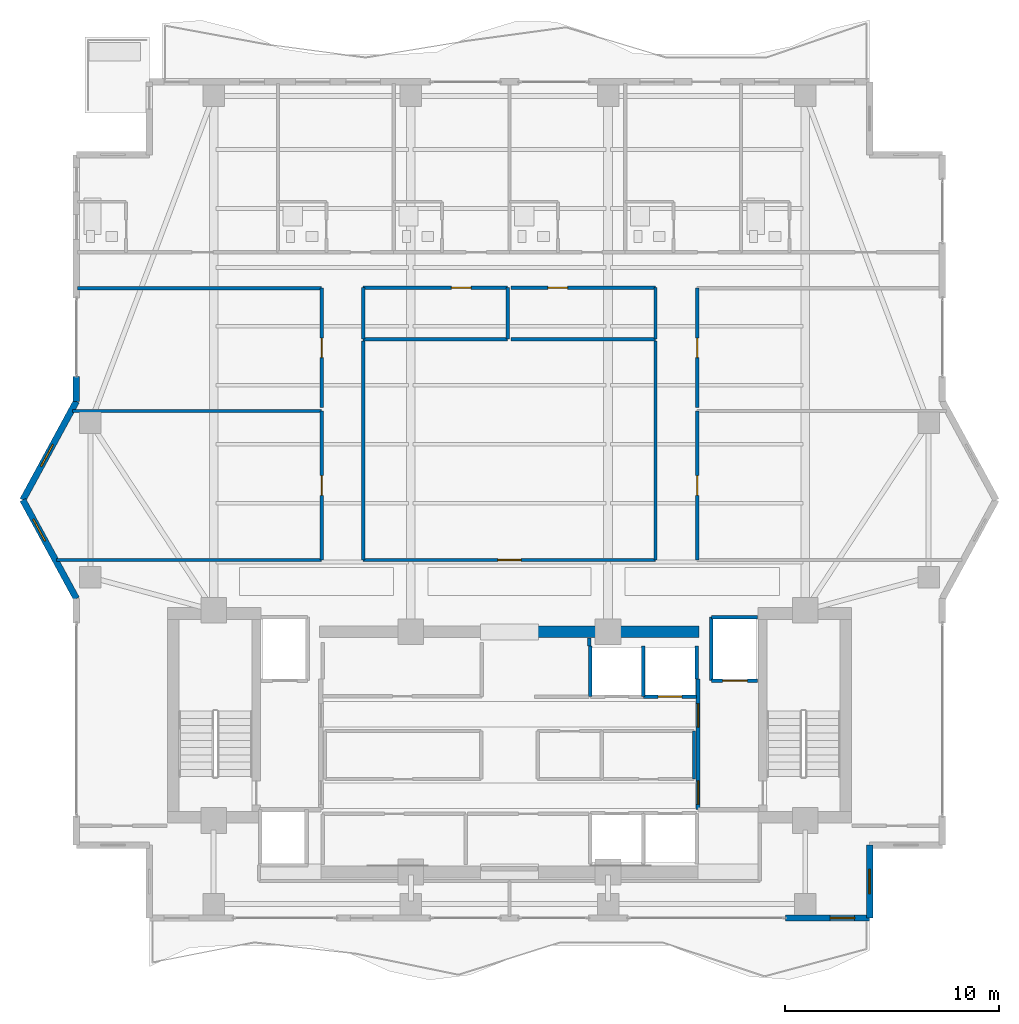
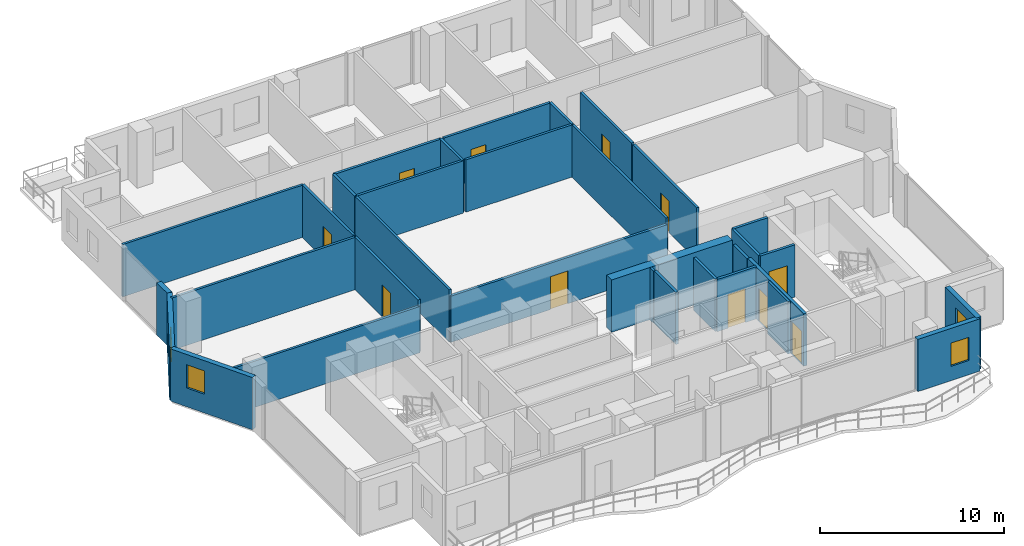
# One storey, part 18 of 24: 33 walls, 11 doors, 4 windows, 15 openings.
"""IFC4 building model written with IfcOpenShell, lengths in metres."""

from ifc_helpers import new_model, si_unit, direction, frame, frame_2d, origin, place, context, subcontext, project, spatial, rectangle, extrude, material, layer, layer_set, type_object, element, fill, save


model = new_model("IFC4")

# Units and contexts
model_context = context("Model", 3, precision=1e-05, world=origin(), true_north=direction((0.0, 1.0)))
body_context = subcontext(model_context, "Body", "Model", "MODEL_VIEW")
ifc_project = project(units=[si_unit("LENGTHUNIT", "METRE"), si_unit("AREAUNIT", "SQUARE_METRE"), si_unit("VOLUMEUNIT", "CUBIC_METRE"), si_unit("PLANEANGLEUNIT", "RADIAN"), si_unit("MASSUNIT", "GRAM", prefix="KILO")], contexts=[model_context])

# Site, building, storey
site_placement = place(None, origin())
site = spatial("IfcSite", under=ifc_project, at=site_placement, CompositionType="ELEMENT")
building_placement = place(site_placement, origin())
building = spatial("IfcBuilding", under=site, at=building_placement, Name="Zuhayl Quay Hotel", CompositionType="ELEMENT")
storey_placement = place(building_placement, frame((0.0, 0.0, 276.64990234375)))
storey = spatial("IfcBuildingStorey", under=building, at=storey_placement, Name="L70", CompositionType="ELEMENT", Elevation=276.64990234375)

# Wall
ifc_material_1 = material(Name="Concrete C50/60", Category="concrete")
ifc_layer_1 = layer(ifc_material_1, 0.550048828125, Name="Concrete C50/60", Category="concrete")
ifc_layer_set_1 = layer_set([ifc_layer_1], Name="Concrete C50/60")
wall_type_1 = type_object("IfcWallType", Name="WL_CORE_550", PredefinedType="SHEAR", material=ifc_layer_set_1)
wall_1_placement = place(storey_placement, frame((1.25, 13.35009765625, 0.0), z_axis=(0.0, 0.0, 1.0), x_axis=(1.0, 0.0, 0.0)))
element("IfcWall", 1, at=wall_1_placement, inside=storey, type_object=wall_type_1, Name="L70 Core Shear Wall CW_NC_E", PredefinedType="SHEAR", context=body_context, shape_type="SweptSolid", body=[
    extrude(rectangle(XDim=7.60009765625, YDim=0.550048828125, at=frame_2d((3.800048828125, 0.0))), origin(), (0.0, 0.0, 1.0), 3.47998046875),
])

# Wall, opening, window
ifc_material_2 = material(Name="Precast concrete C45/55", Category="concrete")
ifc_layer_2 = layer(ifc_material_2, 0.300048828125, Name="Precast concrete C45/55", Category="concrete")
ifc_layer_set_2 = layer_set([ifc_layer_2], Name="Precast concrete C45/55")
wall_type_2 = type_object("IfcWallType", Name="WL_EXT_300", PredefinedType="STANDARD", material=ifc_layer_set_2)
wall_2_placement = place(storey_placement, frame((-20.199951171875, 14.89990234375, 0.0), z_axis=(0.0, 0.0, 1.0), x_axis=(-0.477505494629, 0.878628762675, 0.0)))
wall_2 = element("IfcWall", 2, at=wall_2_placement, inside=storey, type_object=wall_type_2, Name="L70 Exterior Precast Wall ENV_L70_EW03", PredefinedType="STANDARD", context=body_context, shape_type="SweptSolid", body=[
    extrude(rectangle(XDim=5.235595703125, YDim=0.300048828125, at=frame_2d((2.61767578125, 0.0))), origin(), (0.0, 0.0, 1.0), 3.47998046875),
])
opening_1_placement = place(wall_2_placement, frame((3.062744140625, 0.0, 1.25)))
opening_1 = element("IfcOpeningElement", 3, at=opening_1_placement, cuts=wall_2, Name="Opening W01N", PredefinedType="OPENING", context=body_context, shape_type="SweptSolid", body=[
    extrude(rectangle(XDim=1.14990234375, YDim=1.550048828125, at=frame_2d((0.574951171875, 0.77490234375))), frame((0.0, 0.159912109375, 0.0), z_axis=(0.0, -1.0, 0.0), x_axis=(1.0, 0.0, 0.0)), (0.0, 0.0, 1.0), 0.320068359375),
])
ifc_material_3 = material(Name="Dark Ceramic-Fritted Solar Glass", Category="glass")
window_type = type_object("IfcWindowType", Name="WN_NOTCH_1350", PartitioningType="SINGLE_PANEL", PredefinedType="WINDOW", material=ifc_material_3)
window_1_placement = place(opening_1_placement, origin())
window_1 = element("IfcWindow", 4, at=window_1_placement, inside=storey, type_object=window_type, Name="L70 Corner Notch Window 3", OverallHeight=1.550048828125, OverallWidth=1.14990234375, PartitioningType="SINGLE_PANEL", PredefinedType="WINDOW", context=body_context, shape_type="SweptSolid", body=[
    extrude(rectangle(XDim=1.14990234375, YDim=1.550048828125, at=frame_2d((0.574951171875, 0.77490234375))), frame((0.0, 0.030029296875, 0.0), z_axis=(0.0, -1.0, 0.0), x_axis=(1.0, 0.0, 0.0)), (0.0, 0.0, 1.0), 0.06005859375),
])
fill(opening_1, window_1)

wall_3_placement = place(storey_placement, frame((-22.699951171875, 19.5, 0.0), z_axis=(0.0, 0.0, 1.0), x_axis=(0.477505494629, 0.878628762675, 0.0)))
wall_3 = element("IfcWall", 5, at=wall_3_placement, inside=storey, type_object=wall_type_2, Name="L70 Exterior Precast Wall ENV_L70_EW04", PredefinedType="STANDARD", context=body_context, shape_type="SweptSolid", body=[
    extrude(rectangle(XDim=5.235595703125, YDim=0.300048828125, at=frame_2d((2.61767578125, 0.0))), origin(), (0.0, 0.0, 1.0), 3.47998046875),
])
opening_2_placement = place(wall_3_placement, frame((1.791015625, 0.0, 1.25)))
opening_2 = element("IfcOpeningElement", 6, at=opening_2_placement, cuts=wall_3, Name="Opening W01N", PredefinedType="OPENING", context=body_context, shape_type="SweptSolid", body=[
    extrude(rectangle(XDim=1.14990234375, YDim=1.550048828125, at=frame_2d((0.574951171875, 0.77490234375))), frame((0.0, 0.159912109375, 0.0), z_axis=(0.0, -1.0, 0.0), x_axis=(1.0, 0.0, 0.0)), (0.0, 0.0, 1.0), 0.320068359375),
])
window_2_placement = place(opening_2_placement, origin())
window_2 = element("IfcWindow", 7, at=window_2_placement, inside=storey, type_object=window_type, Name="L70 Corner Notch Window 4", OverallHeight=1.550048828125, OverallWidth=1.14990234375, PartitioningType="SINGLE_PANEL", PredefinedType="WINDOW", context=body_context, shape_type="SweptSolid", body=[
    extrude(rectangle(XDim=1.14990234375, YDim=1.550048828125, at=frame_2d((0.574951171875, 0.77490234375))), frame((0.0, 0.030029296875, 0.0), z_axis=(0.0, -1.0, 0.0), x_axis=(1.0, 0.0, 0.0)), (0.0, 0.0, 1.0), 0.06005859375),
])
fill(opening_2, window_2)

# Wall
wall_4_placement = place(storey_placement, frame((-20.199951171875, 24.10009765625, 0.0), z_axis=(0.0, 0.0, 1.0), x_axis=(0.0, 1.0, 0.0)))
element("IfcWall", 8, at=wall_4_placement, inside=storey, type_object=wall_type_2, Name="L70 Exterior Precast Wall ENV_L70_E05_EW1", PredefinedType="STANDARD", context=body_context, shape_type="SweptSolid", body=[
    extrude(rectangle(XDim=1.14990234375, YDim=0.300048828125, at=frame_2d((0.574951171875, 0.0))), origin(), (0.0, 0.0, 1.0), 3.47998046875),
])

# Wall, opening, window
wall_5_placement = place(storey_placement, frame((16.800048828125, 3.39990234375, 0.0), z_axis=(0.0, 0.0, 1.0), x_axis=(0.0, -1.0, 0.0)))
wall_5 = element("IfcWall", 9, at=wall_5_placement, inside=storey, type_object=wall_type_2, Name="L70 Exterior Precast Wall ENV_L70_EW16", PredefinedType="STANDARD", context=body_context, shape_type="SweptSolid", body=[
    extrude(rectangle(XDim=3.39990234375, YDim=0.300048828125, at=frame_2d((1.699951171875, 0.0))), origin(), (0.0, 0.0, 1.0), 3.47998046875),
])
opening_3_placement = place(wall_5_placement, frame((1.125, 0.0, 1.25)))
opening_3 = element("IfcOpeningElement", 10, at=opening_3_placement, cuts=wall_5, Name="Opening W01N", PredefinedType="OPENING", context=body_context, shape_type="SweptSolid", body=[
    extrude(rectangle(XDim=1.14990234375, YDim=1.550048828125, at=frame_2d((0.574951171875, 0.77490234375))), frame((0.0, 0.159912109375, 0.0), z_axis=(0.0, -1.0, 0.0), x_axis=(1.0, 0.0, 0.0)), (0.0, 0.0, 1.0), 0.320068359375),
])
window_3_placement = place(opening_3_placement, origin())
window_3 = element("IfcWindow", 11, at=window_3_placement, inside=storey, type_object=window_type, Name="L70 Corner Notch Window 16", OverallHeight=1.550048828125, OverallWidth=1.14990234375, PartitioningType="SINGLE_PANEL", PredefinedType="WINDOW", context=body_context, shape_type="SweptSolid", body=[
    extrude(rectangle(XDim=1.14990234375, YDim=1.550048828125, at=frame_2d((0.574951171875, 0.77490234375))), frame((0.0, 0.030029296875, 0.0), z_axis=(0.0, -1.0, 0.0), x_axis=(1.0, 0.0, 0.0)), (0.0, 0.0, 1.0), 0.06005859375),
])
fill(opening_3, window_3)

wall_6_placement = place(storey_placement, frame((16.800048828125, 0.0, 0.0), z_axis=(0.0, 0.0, 1.0), x_axis=(-1.0, 0.0, 0.0)))
wall_6 = element("IfcWall", 12, at=wall_6_placement, inside=storey, type_object=wall_type_2, Name="L70 Exterior Precast Wall ENV_L70_S_EW1", PredefinedType="STANDARD", context=body_context, shape_type="SweptSolid", body=[
    extrude(rectangle(XDim=3.920166015625, YDim=0.300048828125, at=frame_2d((1.9599609375, 0.0))), origin(), (0.0, 0.0, 1.0), 3.47998046875),
])
opening_4_placement = place(wall_6_placement, frame((0.695068359375, 0.0, 0.949951171875)))
opening_4 = element("IfcOpeningElement", 13, at=opening_4_placement, cuts=wall_6, Name="Opening W01N", PredefinedType="OPENING", context=body_context, shape_type="SweptSolid", body=[
    extrude(rectangle(XDim=1.14990234375, YDim=1.550048828125, at=frame_2d((0.574951171875, 0.77490234375))), frame((0.0, 0.159912109375, 0.0), z_axis=(0.0, -1.0, 0.0), x_axis=(1.0, 0.0, 0.0)), (0.0, 0.0, 1.0), 0.320068359375),
])
window_4_placement = place(opening_4_placement, origin())
window_4 = element("IfcWindow", 14, at=window_4_placement, inside=storey, type_object=window_type, Name="L70 Operable Facade Window 1-1", OverallHeight=1.550048828125, OverallWidth=1.14990234375, PartitioningType="SINGLE_PANEL", PredefinedType="WINDOW", context=body_context, shape_type="SweptSolid", body=[
    extrude(rectangle(XDim=1.14990234375, YDim=1.550048828125, at=frame_2d((0.574951171875, 0.77490234375))), frame((0.0, 0.030029296875, 0.0), z_axis=(0.0, -1.0, 0.0), x_axis=(1.0, 0.0, 0.0)), (0.0, 0.0, 1.0), 0.06005859375),
])
fill(opening_4, window_4)

# Walls
ifc_material_4 = material(Name="Acoustic Gypsum Partition STC-58")
ifc_layer_3 = layer(ifc_material_4, 0.14990234375, Name="Acoustic Gypsum Partition STC-58")
ifc_layer_set_3 = layer_set([ifc_layer_3], Name="Acoustic Gypsum Partition STC-58")
wall_type_3 = type_object("IfcWallType", Name="WL_PART_150", PredefinedType="PARTITIONING", material=ifc_layer_set_3)
wall_7_placement = place(storey_placement, frame((8.610107421875, 6.47998046875, 0.0), z_axis=(0.0, 0.0, 1.0), x_axis=(0.0, 1.0, 0.0)))
element("IfcWall", 15, at=wall_7_placement, inside=storey, type_object=wall_type_3, Name="L70 Partition IW_L70_CORE_LN_E", PredefinedType="PARTITIONING", context=body_context, shape_type="SweptSolid", body=[
    extrude(rectangle(XDim=2.239990234375, YDim=0.14990234375, at=frame_2d((1.1201171875, 0.0))), origin(), (0.0, 0.0, 1.0), 3.47998046875),
])
wall_8_placement = place(storey_placement, frame((3.719970703125, 12.679931640625, 0.0), z_axis=(0.0, 0.0, 1.0), x_axis=(0.0, 1.0, 0.0)))
element("IfcWall", 16, at=wall_8_placement, inside=storey, type_object=wall_type_3, Name="L70 Partition IW_L70_VEST_MP4_E", PredefinedType="PARTITIONING", context=body_context, shape_type="SweptSolid", body=[
    extrude(rectangle(XDim=0.3701171875, YDim=0.14990234375, at=frame_2d((0.18505859375, 0.0))), origin(), (0.0, 0.0, 1.0), 3.47998046875),
])
wall_9_placement = place(storey_placement, frame((-6.820068359375, 27.0, 0.0), z_axis=(0.0, 0.0, 1.0), x_axis=(1.0, 0.0, 0.0)))
element("IfcWall", 17, at=wall_9_placement, inside=storey, type_object=wall_type_3, Name="L70 Partition IW_L70_HK_MAIN_S", PredefinedType="PARTITIONING", context=body_context, shape_type="SweptSolid", body=[
    extrude(rectangle(XDim=6.739990234375, YDim=0.14990234375, at=frame_2d((3.3701171875, 0.0))), origin(), (0.0, 0.0, 1.0), 3.47998046875),
])
for number, where, z_axis, x_axis, name in (
    (18, (-6.820068359375, 27.0, 0.0), (0.0, 0.0, 1.0), (0.0, 1.0, 0.0), "L70 Partition IW_L70_HK_MAIN_W"),
    (19, (-0.080078125, 27.0, 0.0), (0.0, 0.0, 1.0), (0.0, 1.0, 0.0), "L70 Partition IW_L70_HK_MAIN_E"),
):
    element("IfcWall", number, at=place(storey_placement, frame(where, z_axis=z_axis, x_axis=x_axis)), inside=storey, type_object=wall_type_3, Name=name, PredefinedType="PARTITIONING", context=body_context, shape_type="SweptSolid", body=[
        extrude(rectangle(XDim=2.39990234375, YDim=0.14990234375, at=frame_2d((1.199951171875, 0.0))), origin(), (0.0, 0.0, 1.0), 3.47998046875),
    ])
wall_10_placement = place(storey_placement, frame((0.080078125, 27.0, 0.0), z_axis=(0.0, 0.0, 1.0), x_axis=(1.0, 0.0, 0.0)))
element("IfcWall", 20, at=wall_10_placement, inside=storey, type_object=wall_type_3, Name="L70 Partition IW_L70_TEA_MAIN_S", PredefinedType="PARTITIONING", context=body_context, shape_type="SweptSolid", body=[
    extrude(rectangle(XDim=6.739990234375, YDim=0.14990234375, at=frame_2d((3.3701171875, 0.0))), origin(), (0.0, 0.0, 1.0), 3.47998046875),
])
wall_11_placement = place(storey_placement, frame((6.820068359375, 27.0, 0.0), z_axis=(0.0, 0.0, 1.0), x_axis=(0.0, 1.0, 0.0)))
element("IfcWall", 21, at=wall_11_placement, inside=storey, type_object=wall_type_3, Name="L70 Partition IW_L70_TEA_MAIN_E", PredefinedType="PARTITIONING", context=body_context, shape_type="SweptSolid", body=[
    extrude(rectangle(XDim=2.39990234375, YDim=0.14990234375, at=frame_2d((1.199951171875, 0.0))), origin(), (0.0, 0.0, 1.0), 3.47998046875),
])
for number, where, z_axis, x_axis, name in (
    (22, (-6.820068359375, 16.699951171875, 0.0), (0.0, 0.0, 1.0), (0.0, 1.0, 0.0), "L70 Partition IW_L70_Z4_Q1_W"),
    (23, (6.820068359375, 16.699951171875, 0.0), (0.0, 0.0, 1.0), (0.0, 1.0, 0.0), "L70 Partition IW_L70_Z4_Q1_E"),
):
    element("IfcWall", number, at=place(storey_placement, frame(where, z_axis=z_axis, x_axis=x_axis)), inside=storey, type_object=wall_type_3, Name=name, PredefinedType="PARTITIONING", context=body_context, shape_type="SweptSolid", body=[
        extrude(rectangle(XDim=10.219970703125, YDim=0.14990234375, at=frame_2d((5.10986328125, 0.0))), origin(), (0.0, 0.0, 1.0), 3.47998046875),
    ])
wall_12_placement = place(storey_placement, frame((-21.118408203125, 16.699951171875, 0.0), z_axis=(0.0, 0.0, 1.0), x_axis=(1.0, 0.0, 0.0)))
element("IfcWall", 24, at=wall_12_placement, inside=storey, type_object=wall_type_3, Name="L70 Partition IW_L70_Z4_V4W1_S", PredefinedType="PARTITIONING", context=body_context, shape_type="SweptSolid", body=[
    extrude(rectangle(XDim=12.3583984375, YDim=0.14990234375, at=frame_2d((6.17919921875, 0.0))), origin(), (0.0, 0.0, 1.0), 3.076171875),
])
wall_13_placement = place(storey_placement, frame((-20.384521484375, 23.64990234375, 0.0), z_axis=(0.0, 0.0, 1.0), x_axis=(1.0, 0.0, 0.0)))
element("IfcWall", 25, at=wall_13_placement, inside=storey, type_object=wall_type_3, Name="L70 Partition IW_L70_Z4_V4W1_N", PredefinedType="PARTITIONING", context=body_context, shape_type="SweptSolid", body=[
    extrude(rectangle(XDim=11.62451171875, YDim=0.14990234375, at=frame_2d((5.812255859375, 0.0))), origin(), (0.0, 0.0, 1.0), 3.47998046875),
])
wall_14_placement = place(storey_placement, frame((-20.139892578125, 29.3798828125, 0.0), z_axis=(0.0, 0.0, 1.0), x_axis=(1.0, 0.0, 0.0)))
element("IfcWall", 26, at=wall_14_placement, inside=storey, type_object=wall_type_3, Name="L70 Partition IW_L70_Z4_V4W2_N", PredefinedType="PARTITIONING", context=body_context, shape_type="SweptSolid", body=[
    extrude(rectangle(XDim=11.3798828125, YDim=0.14990234375, at=frame_2d((5.68994140625, 0.0))), origin(), (0.0, 0.0, 1.0), 3.47998046875),
])

# Wall, opening, door
ifc_layer_4 = layer(ifc_material_4, 0.159912109375, Name="Acoustic Gypsum Partition STC-58")
ifc_layer_set_4 = layer_set([ifc_layer_4], Name="Acoustic Gypsum Partition STC-58")
wall_type_4 = type_object("IfcWallType", Name="WL_PART_CORR_160", PredefinedType="PARTITIONING", material=ifc_layer_set_4)
wall_15_placement = place(storey_placement, frame((-6.820068359375, 29.39990234375, 0.0), z_axis=(0.0, 0.0, 1.0), x_axis=(1.0, 0.0, 0.0)))
wall_15 = element("IfcWall", 27, at=wall_15_placement, inside=storey, type_object=wall_type_4, Name="L70 Partition IW_L70_HK_MAIN_N", PredefinedType="PARTITIONING", context=body_context, shape_type="SweptSolid", body=[
    extrude(rectangle(XDim=6.739990234375, YDim=0.159912109375, at=frame_2d((3.3701171875, 0.0))), origin(), (0.0, 0.0, 1.0), 3.47998046875),
])
opening_5_placement = place(wall_15_placement, frame((4.110107421875, 0.0, 0.0)))
opening_5 = element("IfcOpeningElement", 28, at=opening_5_placement, cuts=wall_15, Name="Opening D05", PredefinedType="OPENING", context=body_context, shape_type="SweptSolid", body=[
    extrude(rectangle(XDim=0.919921875, YDim=2.1201171875, at=frame_2d((0.4599609375, 1.06005859375))), frame((0.0, 0.08984375, 0.0), z_axis=(0.0, -1.0, 0.0), x_axis=(1.0, 0.0, 0.0)), (0.0, 0.0, 1.0), 0.179931640625),
])
ifc_material_5 = material(Name="Solid Walnut Acoustic Fire Door")
door_type_1 = type_object("IfcDoorType", Name="DR_INT_950", OperationType="NOTDEFINED", PredefinedType="DOOR", material=ifc_material_5)
door_1_placement = place(opening_5_placement, origin())
door_1 = element("IfcDoor", 29, at=door_1_placement, inside=storey, type_object=door_type_1, Name="L70 Housekeeping and Linen Room Door", OperationType="SINGLE_SWING_LEFT", OverallHeight=2.1201171875, OverallWidth=0.919921875, PredefinedType="DOOR", context=body_context, shape_type="SweptSolid", body=[
    extrude(rectangle(XDim=0.919921875, YDim=2.1201171875, at=frame_2d((0.4599609375, 1.06005859375))), frame((0.0, 0.02490234375, 0.0), z_axis=(0.0, -1.0, 0.0), x_axis=(1.0, 0.0, 0.0)), (0.0, 0.0, 1.0), 0.050048828125),
])
fill(opening_5, door_1)

wall_16_placement = place(storey_placement, frame((0.080078125, 29.39990234375, 0.0), z_axis=(0.0, 0.0, 1.0), x_axis=(1.0, 0.0, 0.0)))
wall_16 = element("IfcWall", 30, at=wall_16_placement, inside=storey, type_object=wall_type_4, Name="L70 Partition IW_L70_TEA_MAIN_N", PredefinedType="PARTITIONING", context=body_context, shape_type="SweptSolid", body=[
    extrude(rectangle(XDim=6.739990234375, YDim=0.159912109375, at=frame_2d((3.3701171875, 0.0))), origin(), (0.0, 0.0, 1.0), 3.47998046875),
])
opening_6_placement = place(wall_16_placement, frame((1.7099609375, 0.0, 0.0)))
opening_6 = element("IfcOpeningElement", 31, at=opening_6_placement, cuts=wall_16, Name="Opening D05", PredefinedType="OPENING", context=body_context, shape_type="SweptSolid", body=[
    extrude(rectangle(XDim=0.919921875, YDim=2.1201171875, at=frame_2d((0.4599609375, 1.06005859375))), frame((0.0, 0.08984375, 0.0), z_axis=(0.0, -1.0, 0.0), x_axis=(1.0, 0.0, 0.0)), (0.0, 0.0, 1.0), 0.179931640625),
])
door_2_placement = place(opening_6_placement, origin())
door_2 = element("IfcDoor", 32, at=door_2_placement, inside=storey, type_object=door_type_1, Name="L70 Floor Beverage Pantry Door", OperationType="SINGLE_SWING_RIGHT", OverallHeight=2.1201171875, OverallWidth=0.919921875, PredefinedType="DOOR", context=body_context, shape_type="SweptSolid", body=[
    extrude(rectangle(XDim=0.919921875, YDim=2.1201171875, at=frame_2d((0.4599609375, 1.06005859375))), frame((0.0, 0.02490234375, 0.0), z_axis=(0.0, -1.0, 0.0), x_axis=(1.0, 0.0, 0.0)), (0.0, 0.0, 1.0), 0.050048828125),
])
fill(opening_6, door_2)

wall_17_placement = place(storey_placement, frame((-6.820068359375, 16.699951171875, 0.0), z_axis=(0.0, 0.0, 1.0), x_axis=(1.0, 0.0, 0.0)))
wall_17 = element("IfcWall", 33, at=wall_17_placement, inside=storey, type_object=wall_type_4, Name="L70 Partition IW_L70_Z4_Q1_S", PredefinedType="PARTITIONING", context=body_context, shape_type="SweptSolid", body=[
    extrude(rectangle(XDim=13.64013671875, YDim=0.159912109375, at=frame_2d((6.820068359375, 0.0))), origin(), (0.0, 0.0, 1.0), 3.076171875),
])
opening_7_placement = place(wall_17_placement, frame((6.280029296875, 0.0, 0.0)))
opening_7 = element("IfcOpeningElement", 34, at=opening_7_placement, cuts=wall_17, Name="Opening D05A", PredefinedType="OPENING", context=body_context, shape_type="SweptSolid", body=[
    extrude(rectangle(XDim=1.080078125, YDim=2.179931640625, at=frame_2d((0.5400390625, 1.08984375))), frame((0.0, 0.08984375, 0.0), z_axis=(0.0, -1.0, 0.0), x_axis=(1.0, 0.0, 0.0)), (0.0, 0.0, 1.0), 0.179931640625),
])
door_type_2 = type_object("IfcDoorType", Name="DR_INT_1100", OperationType="NOTDEFINED", PredefinedType="DOOR", material=ifc_material_5)
door_3_placement = place(opening_7_placement, origin())
door_3 = element("IfcDoor", 35, at=door_3_placement, inside=storey, type_object=door_type_2, Name="L70 Imperial Sky Conservatory Door", OperationType="SINGLE_SWING_LEFT", OverallHeight=2.179931640625, OverallWidth=1.080078125, PredefinedType="DOOR", context=body_context, shape_type="SweptSolid", body=[
    extrude(rectangle(XDim=1.080078125, YDim=2.179931640625, at=frame_2d((0.5400390625, 1.08984375))), frame((0.0, 0.02490234375, 0.0), z_axis=(0.0, -1.0, 0.0), x_axis=(1.0, 0.0, 0.0)), (0.0, 0.0, 1.0), 0.050048828125),
])
fill(opening_7, door_3)

wall_18_placement = place(storey_placement, frame((-8.760009765625, 16.699951171875, 0.0), z_axis=(0.0, 0.0, 1.0), x_axis=(0.0, 1.0, 0.0)))
wall_18 = element("IfcWall", 36, at=wall_18_placement, inside=storey, type_object=wall_type_4, Name="L70 Partition IW_L70_Z4_V4W1_E", PredefinedType="PARTITIONING", context=body_context, shape_type="SweptSolid", body=[
    extrude(rectangle(XDim=6.949951171875, YDim=0.159912109375, at=frame_2d((3.47509765625, 0.0))), origin(), (0.0, 0.0, 1.0), 3.47998046875),
])
opening_8_placement = place(wall_18_placement, frame((3.014892578125, 0.0, 0.0)))
opening_8 = element("IfcOpeningElement", 37, at=opening_8_placement, cuts=wall_18, Name="Opening D05", PredefinedType="OPENING", context=body_context, shape_type="SweptSolid", body=[
    extrude(rectangle(XDim=0.919921875, YDim=2.1201171875, at=frame_2d((0.4599609375, 1.06005859375))), frame((0.0, 0.08984375, 0.0), z_axis=(0.0, -1.0, 0.0), x_axis=(1.0, 0.0, 0.0)), (0.0, 0.0, 1.0), 0.179931640625),
])
door_4_placement = place(opening_8_placement, origin())
door_4 = element("IfcDoor", 38, at=door_4_placement, inside=storey, type_object=door_type_1, Name="L70 Imperial West Salon Door", OperationType="SINGLE_SWING_RIGHT", OverallHeight=2.1201171875, OverallWidth=0.919921875, PredefinedType="DOOR", context=body_context, shape_type="SweptSolid", body=[
    extrude(rectangle(XDim=0.919921875, YDim=2.1201171875, at=frame_2d((0.4599609375, 1.06005859375))), frame((0.0, 0.02490234375, 0.0), z_axis=(0.0, -1.0, 0.0), x_axis=(1.0, 0.0, 0.0)), (0.0, 0.0, 1.0), 0.050048828125),
])
fill(opening_8, door_4)

wall_19_placement = place(storey_placement, frame((-8.760009765625, 23.81005859375, 0.0), z_axis=(0.0, 0.0, 1.0), x_axis=(0.0, 1.0, 0.0)))
wall_19 = element("IfcWall", 39, at=wall_19_placement, inside=storey, type_object=wall_type_4, Name="L70 Partition IW_L70_Z4_V4W2_E", PredefinedType="PARTITIONING", context=body_context, shape_type="SweptSolid", body=[
    extrude(rectangle(XDim=5.56982421875, YDim=0.159912109375, at=frame_2d((2.784912109375, 0.0))), origin(), (0.0, 0.0, 1.0), 3.47998046875),
])
opening_9_placement = place(wall_19_placement, frame((2.324951171875, 0.0, 0.0)))
opening_9 = element("IfcOpeningElement", 40, at=opening_9_placement, cuts=wall_19, Name="Opening D05", PredefinedType="OPENING", context=body_context, shape_type="SweptSolid", body=[
    extrude(rectangle(XDim=0.919921875, YDim=2.1201171875, at=frame_2d((0.4599609375, 1.06005859375))), frame((0.0, 0.08984375, 0.0), z_axis=(0.0, -1.0, 0.0), x_axis=(1.0, 0.0, 0.0)), (0.0, 0.0, 1.0), 0.179931640625),
])
door_5_placement = place(opening_9_placement, origin())
door_5 = element("IfcDoor", 41, at=door_5_placement, inside=storey, type_object=door_type_1, Name="L70 Imperial Music Lounge Door", OperationType="SINGLE_SWING_LEFT", OverallHeight=2.1201171875, OverallWidth=0.919921875, PredefinedType="DOOR", context=body_context, shape_type="SweptSolid", body=[
    extrude(rectangle(XDim=0.919921875, YDim=2.1201171875, at=frame_2d((0.4599609375, 1.06005859375))), frame((0.0, 0.02490234375, 0.0), z_axis=(0.0, -1.0, 0.0), x_axis=(1.0, 0.0, 0.0)), (0.0, 0.0, 1.0), 0.050048828125),
])
fill(opening_9, door_5)

wall_20_placement = place(storey_placement, frame((8.760009765625, 16.699951171875, 0.0), z_axis=(0.0, 0.0, 1.0), x_axis=(0.0, 1.0, 0.0)))
wall_20 = element("IfcWall", 42, at=wall_20_placement, inside=storey, type_object=wall_type_4, Name="L70 Partition IW_L70_Z4_V4E1_W", PredefinedType="PARTITIONING", context=body_context, shape_type="SweptSolid", body=[
    extrude(rectangle(XDim=6.949951171875, YDim=0.159912109375, at=frame_2d((3.47509765625, 0.0))), origin(), (0.0, 0.0, 1.0), 3.47998046875),
])
opening_10_placement = place(wall_20_placement, frame((3.014892578125, 0.0, 0.0)))
opening_10 = element("IfcOpeningElement", 43, at=opening_10_placement, cuts=wall_20, Name="Opening D05", PredefinedType="OPENING", context=body_context, shape_type="SweptSolid", body=[
    extrude(rectangle(XDim=0.919921875, YDim=2.1201171875, at=frame_2d((0.4599609375, 1.06005859375))), frame((0.0, 0.08984375, 0.0), z_axis=(0.0, -1.0, 0.0), x_axis=(1.0, 0.0, 0.0)), (0.0, 0.0, 1.0), 0.179931640625),
])
door_6_placement = place(opening_10_placement, origin())
door_6 = element("IfcDoor", 44, at=door_6_placement, inside=storey, type_object=door_type_1, Name="L70 Imperial Boardroom Door", OperationType="SINGLE_SWING_RIGHT", OverallHeight=2.1201171875, OverallWidth=0.919921875, PredefinedType="DOOR", context=body_context, shape_type="SweptSolid", body=[
    extrude(rectangle(XDim=0.919921875, YDim=2.1201171875, at=frame_2d((0.4599609375, 1.06005859375))), frame((0.0, 0.02490234375, 0.0), z_axis=(0.0, -1.0, 0.0), x_axis=(1.0, 0.0, 0.0)), (0.0, 0.0, 1.0), 0.050048828125),
])
fill(opening_10, door_6)

wall_21_placement = place(storey_placement, frame((8.760009765625, 23.81005859375, 0.0), z_axis=(0.0, 0.0, 1.0), x_axis=(0.0, 1.0, 0.0)))
wall_21 = element("IfcWall", 45, at=wall_21_placement, inside=storey, type_object=wall_type_4, Name="L70 Partition IW_L70_Z4_V4E2_W", PredefinedType="PARTITIONING", context=body_context, shape_type="SweptSolid", body=[
    extrude(rectangle(XDim=5.56982421875, YDim=0.159912109375, at=frame_2d((2.784912109375, 0.0))), origin(), (0.0, 0.0, 1.0), 3.47998046875),
])
opening_11_placement = place(wall_21_placement, frame((2.324951171875, 0.0, 0.0)))
opening_11 = element("IfcOpeningElement", 46, at=opening_11_placement, cuts=wall_21, Name="Opening D05", PredefinedType="OPENING", context=body_context, shape_type="SweptSolid", body=[
    extrude(rectangle(XDim=0.919921875, YDim=2.1201171875, at=frame_2d((0.4599609375, 1.06005859375))), frame((0.0, 0.08984375, 0.0), z_axis=(0.0, -1.0, 0.0), x_axis=(1.0, 0.0, 0.0)), (0.0, 0.0, 1.0), 0.179931640625),
])
door_7_placement = place(opening_11_placement, origin())
door_7 = element("IfcDoor", 47, at=door_7_placement, inside=storey, type_object=door_type_1, Name="L70 Imperial Private Dining Door", OperationType="SINGLE_SWING_LEFT", OverallHeight=2.1201171875, OverallWidth=0.919921875, PredefinedType="DOOR", context=body_context, shape_type="SweptSolid", body=[
    extrude(rectangle(XDim=0.919921875, YDim=2.1201171875, at=frame_2d((0.4599609375, 1.06005859375))), frame((0.0, 0.02490234375, 0.0), z_axis=(0.0, -1.0, 0.0), x_axis=(1.0, 0.0, 0.0)), (0.0, 0.0, 1.0), 0.050048828125),
])
fill(opening_11, door_7)

ifc_material_6 = material(Name="Gypsum Fireboard Assembly EI-90")
ifc_layer_5 = layer(ifc_material_6, 0.1650390625, Name="Gypsum Fireboard Assembly EI-90")
ifc_layer_set_5 = layer_set([ifc_layer_5], Name="Gypsum Fireboard Assembly EI-90")
wall_type_5 = type_object("IfcWallType", Name="WL_PART_SHAFT_160", PredefinedType="PARTITIONING", material=ifc_layer_set_5)
wall_22_placement = place(storey_placement, frame((9.419921875, 11.070068359375, 0.0), z_axis=(0.0, 0.0, 1.0), x_axis=(1.0, 0.0, 0.0)))
wall_22 = element("IfcWall", 48, at=wall_22_placement, inside=storey, type_object=wall_type_5, Name="L70 Partition IW_L70_SH_FL2_F", PredefinedType="PARTITIONING", context=body_context, shape_type="SweptSolid", body=[
    extrude(rectangle(XDim=2.16015625, YDim=0.1650390625, at=frame_2d((1.080078125, 0.0))), origin(), (0.0, 0.0, 1.0), 3.47998046875),
])
opening_12_placement = place(wall_22_placement, frame((0.530029296875, 0.0, 0.0)))
opening_12 = element("IfcOpeningElement", 49, at=opening_12_placement, cuts=wall_22, Name="Opening LD2", PredefinedType="OPENING", context=body_context, shape_type="SweptSolid", body=[
    extrude(rectangle(XDim=1.14990234375, YDim=2.25, at=frame_2d((0.574951171875, 1.125))), frame((0.0, 0.092529296875, 0.0), z_axis=(0.0, -1.0, 0.0), x_axis=(1.0, 0.0, 0.0)), (0.0, 0.0, 1.0), 0.18505859375),
])
ifc_material_7 = material(Name="Brushed Stainless Steel", Category="steel")
door_type_3 = type_object("IfcDoorType", Name="DR_LIFT_FF_1100", OperationType="SLIDING_TO_LEFT", PredefinedType="DOOR", material=ifc_material_7)
door_8_placement = place(opening_12_placement, origin())
door_8 = element("IfcDoor", 50, at=door_8_placement, inside=storey, type_object=door_type_3, Name="L70 Lift FL2 Sliding Landing Door", OperationType="SLIDING_TO_LEFT", OverallHeight=2.25, OverallWidth=1.14990234375, PredefinedType="DOOR", context=body_context, shape_type="SweptSolid", body=[
    extrude(rectangle(XDim=1.14990234375, YDim=2.25, at=frame_2d((0.574951171875, 1.125))), frame((0.0, 0.02490234375, 0.0), z_axis=(0.0, -1.0, 0.0), x_axis=(1.0, 0.0, 0.0)), (0.0, 0.0, 1.0), 0.050048828125),
])
fill(opening_12, door_8)

wall_23_placement = place(storey_placement, frame((6.25, 10.320068359375, 0.0), z_axis=(0.0, 0.0, 1.0), x_axis=(1.0, 0.0, 0.0)))
wall_23 = element("IfcWall", 51, at=wall_23_placement, inside=storey, type_object=wall_type_5, Name="L70 Partition IW_L70_SH_HP4_F", PredefinedType="PARTITIONING", context=body_context, shape_type="SweptSolid", body=[
    extrude(rectangle(XDim=2.47998046875, YDim=0.1650390625, at=frame_2d((1.239990234375, 0.0))), origin(), (0.0, 0.0, 1.0), 3.47998046875),
])
opening_13_placement = place(wall_23_placement, frame((0.68994140625, 0.0, 0.0)))
opening_13 = element("IfcOpeningElement", 52, at=opening_13_placement, cuts=wall_23, Name="Opening LD1", PredefinedType="OPENING", context=body_context, shape_type="SweptSolid", body=[
    extrude(rectangle(XDim=1.10009765625, YDim=2.25, at=frame_2d((0.550048828125, 1.125))), frame((0.0, 0.092529296875, 0.0), z_axis=(0.0, -1.0, 0.0), x_axis=(1.0, 0.0, 0.0)), (0.0, 0.0, 1.0), 0.18505859375),
])
door_type_4 = type_object("IfcDoorType", Name="DR_LIFT_PASS_1100", OperationType="SLIDING_TO_LEFT", PredefinedType="DOOR", material=ifc_material_7)
door_9_placement = place(opening_13_placement, origin())
door_9 = element("IfcDoor", 53, at=door_9_placement, inside=storey, type_object=door_type_4, Name="L70 Lift HP4 Sliding Landing Door", OperationType="SLIDING_TO_LEFT", OverallHeight=2.25, OverallWidth=1.10009765625, PredefinedType="DOOR", context=body_context, shape_type="SweptSolid", body=[
    extrude(rectangle(XDim=1.10009765625, YDim=2.25, at=frame_2d((0.550048828125, 1.125))), frame((0.0, 0.02490234375, 0.0), z_axis=(0.0, -1.0, 0.0), x_axis=(1.0, 0.0, 0.0)), (0.0, 0.0, 1.0), 0.050048828125),
])
fill(opening_13, door_9)

# Walls
wall_24_placement = place(storey_placement, frame((9.419921875, 11.070068359375, 0.0), z_axis=(0.0, 0.0, 1.0), x_axis=(0.0, 1.0, 0.0)))
element("IfcWall", 54, at=wall_24_placement, inside=storey, type_object=wall_type_5, Name="L70 Partition IW_L70_SH_FL2_W", PredefinedType="PARTITIONING", context=body_context, shape_type="SweptSolid", body=[
    extrude(rectangle(XDim=2.9599609375, YDim=0.1650390625, at=frame_2d((1.47998046875, 0.0))), origin(), (0.0, 0.0, 1.0), 3.47998046875),
])
wall_25_placement = place(storey_placement, frame((9.419921875, 14.030029296875, 0.0), z_axis=(0.0, 0.0, 1.0), x_axis=(1.0, 0.0, 0.0)))
element("IfcWall", 55, at=wall_25_placement, inside=storey, type_object=wall_type_5, Name="L70 Partition IW_L70_SH_FL2_B", PredefinedType="PARTITIONING", context=body_context, shape_type="SweptSolid", body=[
    extrude(rectangle(XDim=2.16015625, YDim=0.1650390625, at=frame_2d((1.080078125, 0.0))), origin(), (0.0, 0.0, 1.0), 3.47998046875),
])
for number, where, z_axis, x_axis, name in (
    (56, (3.77001953125, 10.320068359375, 0.0), (0.0, 0.0, 1.0), (0.0, 1.0, 0.0), "L70 Partition IW_L70_SH_HP3_W"),
    (57, (6.25, 10.320068359375, 0.0), (0.0, 0.0, 1.0), (0.0, 1.0, 0.0), "L70 Partition IW_L70_SH_HP3_E"),
):
    element("IfcWall", number, at=place(storey_placement, frame(where, z_axis=z_axis, x_axis=x_axis)), inside=storey, type_object=wall_type_5, Name=name, PredefinedType="PARTITIONING", context=body_context, shape_type="SweptSolid", body=[
        extrude(rectangle(XDim=2.35986328125, YDim=0.1650390625, at=frame_2d((1.179931640625, 0.0))), origin(), (0.0, 0.0, 1.0), 3.47998046875),
    ])
wall_26_placement = place(storey_placement, frame((8.72998046875, 11.14990234375, 0.0), z_axis=(0.0, 0.0, 1.0), x_axis=(0.0, 1.0, 0.0)))
element("IfcWall", 58, at=wall_26_placement, inside=storey, type_object=wall_type_5, Name="L70 Partition IW_L70_SH_HP4_E", PredefinedType="PARTITIONING", context=body_context, shape_type="SweptSolid", body=[
    extrude(rectangle(XDim=1.530029296875, YDim=0.1650390625, at=frame_2d((0.76513671875, 0.0))), origin(), (0.0, 0.0, 1.0), 3.47998046875),
])

# Wall, openings, doors
ifc_material_8 = material(Name="Gypsum Fireboard Assembly EI-120")
ifc_layer_6 = layer(ifc_material_8, 0.199951171875, Name="Gypsum Fireboard Assembly EI-120")
ifc_layer_set_6 = layer_set([ifc_layer_6], Name="Gypsum Fireboard Assembly EI-120")
wall_type_6 = type_object("IfcWallType", Name="WL_PART_SHAFT_200", PredefinedType="PARTITIONING", material=ifc_layer_set_6)
wall_27_placement = place(storey_placement, frame((8.800048828125, 11.14990234375, 0.0), z_axis=(0.0, 0.0, 1.0), x_axis=(0.0, -1.0, 0.0)))
wall_27 = element("IfcWall", 59, at=wall_27_placement, inside=storey, type_object=wall_type_6, Name="L70 Partition IW_L70_FSAE_E_W", PredefinedType="PARTITIONING", context=body_context, shape_type="SweptSolid", body=[
    extrude(rectangle(XDim=6.099853515625, YDim=0.199951171875, at=frame_2d((3.0498046875, 0.0))), origin(), (0.0, 0.0, 1.0), 3.47998046875),
])
opening_14_placement = place(wall_27_placement, frame((1.14990234375, 0.0, 0.0)))
opening_14 = element("IfcOpeningElement", 60, at=opening_14_placement, cuts=wall_27, Name="Opening D02", PredefinedType="OPENING", context=body_context, shape_type="SweptSolid", body=[
    extrude(rectangle(XDim=1.10009765625, YDim=2.199951171875, at=frame_2d((0.550048828125, 1.10009765625))), frame((0.0, 0.10986328125, 0.0), z_axis=(0.0, -1.0, 0.0), x_axis=(1.0, 0.0, 0.0)), (0.0, 0.0, 1.0), 0.219970703125),
])
opening_15_placement = place(wall_27_placement, frame((4.75, 0.0, 0.0)))
opening_15 = element("IfcOpeningElement", 61, at=opening_15_placement, cuts=wall_27, Name="Opening D02", PredefinedType="OPENING", context=body_context, shape_type="SweptSolid", body=[
    extrude(rectangle(XDim=1.10009765625, YDim=2.199951171875, at=frame_2d((0.550048828125, 1.10009765625))), frame((0.0, 0.10986328125, 0.0), z_axis=(0.0, -1.0, 0.0), x_axis=(1.0, 0.0, 0.0)), (0.0, 0.0, 1.0), 0.219970703125),
])
ifc_material_9 = material(Name="Steel ASTM A992 Grade 50", Category="steel")
door_type_5 = type_object("IfcDoorType", Name="DR_FIRE_90_1100", OperationType="NOTDEFINED", PredefinedType="DOOR", material=ifc_material_9)
door_10_placement = place(opening_14_placement, origin())
door_10 = element("IfcDoor", 62, at=door_10_placement, inside=storey, type_object=door_type_5, Name="L70 FSAE Lobby East North Entry Door", OperationType="SINGLE_SWING_LEFT", OverallHeight=2.199951171875, OverallWidth=1.10009765625, PredefinedType="DOOR", context=body_context, shape_type="SweptSolid", body=[
    extrude(rectangle(XDim=1.10009765625, YDim=2.199951171875, at=frame_2d((0.550048828125, 1.10009765625))), frame((0.0, 0.02490234375, 0.0), z_axis=(0.0, -1.0, 0.0), x_axis=(1.0, 0.0, 0.0)), (0.0, 0.0, 1.0), 0.050048828125),
])
fill(opening_14, door_10)
door_11_placement = place(opening_15_placement, origin())
door_11 = element("IfcDoor", 63, at=door_11_placement, inside=storey, type_object=door_type_5, Name="L70 FSAE Lobby East South Entry Door", OperationType="SINGLE_SWING_RIGHT", OverallHeight=2.199951171875, OverallWidth=1.10009765625, PredefinedType="DOOR", context=body_context, shape_type="SweptSolid", body=[
    extrude(rectangle(XDim=1.10009765625, YDim=2.199951171875, at=frame_2d((0.550048828125, 1.10009765625))), frame((0.0, 0.02490234375, 0.0), z_axis=(0.0, -1.0, 0.0), x_axis=(1.0, 0.0, 0.0)), (0.0, 0.0, 1.0), 0.050048828125),
])
fill(opening_15, door_11)

save(model, "model.ifc")
